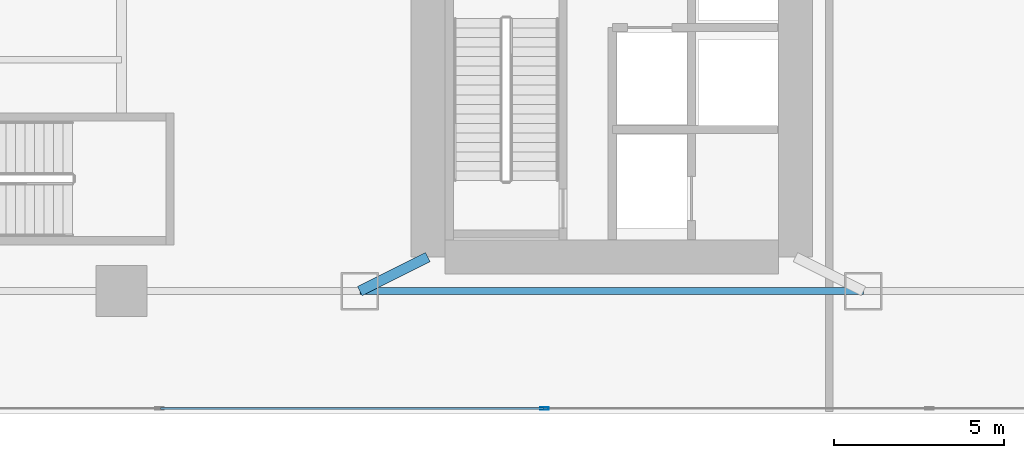
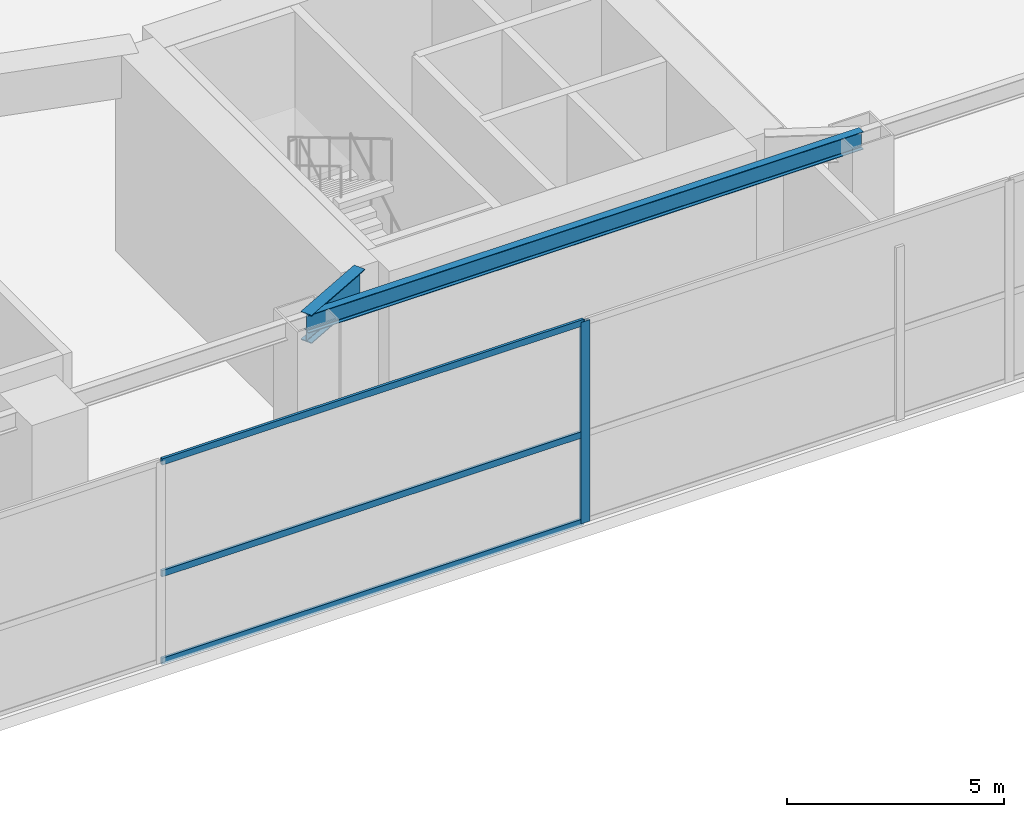
# One storey, part 7 of 35: 4 members, 2 beams, 1 element without a shape of its own.
"""IFC4 building model written with IfcOpenShell, lengths in metres."""

import ifcopenshell
import ifcopenshell.guid

model = None  # the IFC model being written
_history = None  # IfcOwnerHistory: only IFC2X3 demands one
_inside = {}  # id of a spatial element -> (the spatial element, [elements in it])
_under = {}  # id of a project, library or spatial element -> (it, [spatial elements below it])
_declared = {}  # id of a project -> (the project, [libraries it declares])
_typed = {}  # id of a type object -> (the type object, [elements of that type])
_made_of = {}  # id of a material, layer set ... -> (it, [elements and type objects made of it])


def new_model(schema):
    """Start an empty IFC model of exactly this schema.

    Asked for "IFC4X3", IfcOpenShell would pick the latest addendum, in which some entities
    have other attributes; the version numbers below select the first issue.
    IFC2X3 requires an IfcOwnerHistory on every rooted entity: one is made here for all.
    """
    global model, _history
    if schema == "IFC4X3":
        model = ifcopenshell.file(schema_version=(4, 3, 0, 0))
    else:
        model = ifcopenshell.file(schema=schema)
    _inside.clear()
    _under.clear()
    _declared.clear()
    _typed.clear()
    _made_of.clear()
    _history = None
    if model.schema == "IFC2X3":
        org = make("IfcOrganization", Name="unknown")
        user = make(
            "IfcPersonAndOrganization",
            ThePerson=make("IfcPerson", FamilyName="unknown"),
            TheOrganization=org,
        )
        app = make(
            "IfcApplication",
            ApplicationDeveloper=org,
            Version="unknown",
            ApplicationFullName="unknown",
            ApplicationIdentifier="unknown",
        )
        _history = make(
            "IfcOwnerHistory",
            OwningUser=user,
            OwningApplication=app,
            ChangeAction="ADDED",
            CreationDate=0,
        )
    return model


def make(cls, **values):
    """One entity of the class cls with the attributes given. An attribute that is None is left unset."""
    return model.create_entity(
        cls, **{name: value for name, value in values.items() if value is not None}
    )


def rooted(cls, **values):
    """An entity with a GlobalId (a new one), such as an element, a storey or a relation."""
    return make(cls, GlobalId=ifcopenshell.guid.new(), OwnerHistory=_history, **values)


def si_unit(unit_type, name, prefix=None):
    """IfcSIUnit, for example si_unit("LENGTHUNIT", "METRE", prefix="MILLI")."""
    return make("IfcSIUnit", UnitType=unit_type, Prefix=prefix, Name=name)


def assignment(units):
    """IfcUnitAssignment: the units of a project."""
    return None if units is None else make("IfcUnitAssignment", Units=units)


def point(xyz):
    """IfcCartesianPoint."""
    return None if xyz is None else make("IfcCartesianPoint", Coordinates=xyz)


def direction(xyz):
    """IfcDirection."""
    return None if xyz is None else make("IfcDirection", DirectionRatios=xyz)


def frame(location, z_axis=None, x_axis=None):
    """IfcAxis2Placement3D, a coordinate frame: its origin and axes. An axis left out is left unset."""
    return make(
        "IfcAxis2Placement3D",
        Location=point(location),
        Axis=direction(z_axis),
        RefDirection=direction(x_axis),
    )


def frame_2d(location, x_axis=None):
    """IfcAxis2Placement2D, a coordinate frame in the plane: its origin and x axis."""
    return make(
        "IfcAxis2Placement2D", Location=point(location), RefDirection=direction(x_axis)
    )


def origin():
    """The frame at (0, 0, 0) with its axes left unset."""
    return frame((0.0, 0.0, 0.0))


def origin_2d():
    """The frame at (0, 0) in the plane with its x axis left unset."""
    return frame_2d((0.0, 0.0))


def place(relative_to, where):
    """IfcLocalPlacement: puts the frame where relative to a parent placement (None: the world)."""
    return make(
        "IfcLocalPlacement", PlacementRelTo=relative_to, RelativePlacement=where
    )


def context(
    kind, dimensions, precision=None, world=None, true_north=None, identifier=None
):
    """IfcGeometricRepresentationContext, for example the 3D "Model" context."""
    return make(
        "IfcGeometricRepresentationContext",
        ContextIdentifier=identifier,
        ContextType=kind,
        CoordinateSpaceDimension=dimensions,
        Precision=precision,
        WorldCoordinateSystem=world,
        TrueNorth=true_north,
    )


def subcontext(parent, identifier, kind, view, scale=None):
    """IfcGeometricRepresentationSubContext, for example "Body" below "Model"."""
    return make(
        "IfcGeometricRepresentationSubContext",
        ContextIdentifier=identifier,
        ContextType=kind,
        ParentContext=parent,
        TargetScale=scale,
        TargetView=view,
    )


def project(units=None, contexts=None):
    """IfcProject with its units and contexts."""
    return rooted(
        "IfcProject",
        Name="project",
        RepresentationContexts=contexts,
        UnitsInContext=assignment(units),
    )


def spatial(cls, under=None, at=None, **own):
    """A site, building, storey or space (cls), placed at a placement, below another one or the project."""
    s = rooted(cls, ObjectPlacement=at, **own)
    if under is not None:
        _under.setdefault(under.id(), (under, []))[1].append(s)
    return s


def profile(cls, at=None, kind="AREA", **sizes):
    """A parametric profile (cls). Its sizes go by their IFC names, for example OverallWidth=200.0."""
    return make(cls, ProfileType=kind, Position=at, **sizes)


def hollow_rectangle(**sizes):
    """IfcRectangleHollowProfileDef."""
    return profile("IfcRectangleHollowProfileDef", **sizes)


def i_section(**sizes):
    """IfcIShapeProfileDef."""
    return profile("IfcIShapeProfileDef", **sizes)


def extrude(swept, where, along, depth):
    """IfcExtrudedAreaSolid: the profile swept, set in the frame where, extruded along a direction by depth."""
    return make(
        "IfcExtrudedAreaSolid",
        SweptArea=swept,
        Position=where,
        ExtrudedDirection=direction(along),
        Depth=depth,
    )


def shape(context_of_items, identifier, shape_type, items):
    """IfcShapeRepresentation: the items that make up one representation, for example the "Body"."""
    return make(
        "IfcShapeRepresentation",
        ContextOfItems=context_of_items,
        RepresentationIdentifier=identifier,
        RepresentationType=shape_type,
        Items=items,
    )


def material(Name=None, Category=None):
    """IfcMaterial."""
    return make("IfcMaterial", Name=Name, Category=Category)


def layer(
    of_material, thickness, ventilated=None, Name=None, Category=None, Priority=None
):
    """IfcMaterialLayer: one layer of a wall or slab, of a material (None: an air gap)."""
    return make(
        "IfcMaterialLayer",
        Material=of_material,
        LayerThickness=thickness,
        IsVentilated=ventilated,
        Name=Name,
        Category=Category,
        Priority=Priority,
    )


def layer_set(layers, Name=None):
    """IfcMaterialLayerSet."""
    return make("IfcMaterialLayerSet", MaterialLayers=layers, LayerSetName=Name)


def material_profile(
    of_material, cross_section, Name=None, Category=None, Priority=None
):
    """IfcMaterialProfile: a cross section and its material."""
    return make(
        "IfcMaterialProfile",
        Name=Name,
        Material=of_material,
        Profile=cross_section,
        Priority=Priority,
        Category=Category,
    )


def profile_set(profiles, Name=None, composite=None):
    """IfcMaterialProfileSet."""
    return make(
        "IfcMaterialProfileSet",
        Name=Name,
        MaterialProfiles=profiles,
        CompositeProfile=composite,
    )


def made_of(thing, what):
    """Note that an element or type object is made of a material, layer set ...; save() writes the relation."""
    if what is not None:
        _made_of.setdefault(what.id(), (what, []))[1].append(thing)
    return thing


def type_object(cls, material=None, **own):
    """A type object (cls), such as IfcWallType, which elements share."""
    return made_of(rooted(cls, **own), material)


def element(
    cls,
    number,
    at=None,
    inside=None,
    cuts=None,
    type_object=None,
    material=None,
    context=None,
    identifier="Body",
    shape_type=None,
    held_by="IfcProductDefinitionShape",
    body=None,
    shapes=None,
    **own,
):
    """One element of the class cls, such as IfcWall. Its Tag is "e" and its number.

    at: its placement. inside: the storey or other place that contains it. cuts: it is an
    opening in that element (IfcRelVoidsElement). A single representation is given by context,
    identifier, shape_type and body (its items); several are given by shapes. held_by: the class
    of the entity that holds the representations. save() writes the other relations.
    """
    e = rooted(cls, Tag="e%d" % number, ObjectPlacement=at, **own)
    if body is not None:
        shapes = [shape(context, identifier, shape_type, body)]
    if shapes is not None:
        e.Representation = make(held_by, Representations=shapes)
    if inside is not None:
        _inside.setdefault(inside.id(), (inside, []))[1].append(e)
    if cuts is not None:
        rooted(
            "IfcRelVoidsElement", RelatingBuildingElement=cuts, RelatedOpeningElement=e
        )
    if type_object is not None:
        _typed.setdefault(type_object.id(), (type_object, []))[1].append(e)
    return made_of(e, material)


def aggregate(whole, parts):
    """IfcRelAggregates: a whole, such as a stair, and the parts it consists of."""
    return rooted("IfcRelAggregates", RelatingObject=whole, RelatedObjects=parts)


def save(model, path):
    """Write the relations noted so far, then the file.

    IfcRelAggregates (storeys below a building ...), IfcRelContainedInSpatialStructure (elements
    in a storey), IfcRelDefinesByType, IfcRelAssociatesMaterial and IfcRelDeclares: one each for
    every whole, place, type object, material and project.
    """
    for whole, parts in _under.values():
        aggregate(whole, parts)
    for where, things in _inside.values():
        rooted(
            "IfcRelContainedInSpatialStructure",
            RelatedElements=things,
            RelatingStructure=where,
        )
    for kind, things in _typed.values():
        rooted("IfcRelDefinesByType", RelatedObjects=things, RelatingType=kind)
    for what, things in _made_of.values():
        rooted("IfcRelAssociatesMaterial", RelatedObjects=things, RelatingMaterial=what)
    for by, libraries in _declared.values():
        rooted("IfcRelDeclares", RelatingContext=by, RelatedDefinitions=libraries)
    model.write(path)


model = new_model("IFC4")

# Units and contexts
model_context = context("Model", 3, precision=1e-05, world=origin(), true_north=direction((0.0, 1.0)))
body_context = subcontext(model_context, "Body", "Model", "MODEL_VIEW")
ifc_project = project(units=[si_unit("LENGTHUNIT", "METRE"), si_unit("AREAUNIT", "SQUARE_METRE"), si_unit("VOLUMEUNIT", "CUBIC_METRE"), si_unit("PLANEANGLEUNIT", "RADIAN"), si_unit("MASSUNIT", "GRAM", prefix="KILO")], contexts=[model_context])

# Site, building, storey
site_placement = place(None, origin())
site = spatial("IfcSite", under=ifc_project, at=site_placement, CompositionType="ELEMENT")
building_placement = place(site_placement, origin())
building = spatial("IfcBuilding", under=site, at=building_placement, Name="Calvorn Quay Hotel", CompositionType="ELEMENT")
storey_placement = place(building_placement, frame((0.0, 0.0, 6.0)))
storey = spatial("IfcBuildingStorey", under=building, at=storey_placement, Name="L01", CompositionType="ELEMENT", Elevation=6.0)

# Beams
ifc_material_1 = material(Name="Steel Q390GJC", Category="steel")
ifc_material_profile_1 = material_profile(ifc_material_1, i_section(OverallWidth=0.300048828125, OverallDepth=0.800048828125, WebThickness=0.013916015625, FlangeThickness=0.02587890625, FilletRadius=0.02392578125, at=origin_2d()), Name="HN800x300x14x26")
ifc_profile_set_1 = profile_set([ifc_material_profile_1], Name="Steel Q390GJC")
beam_type_1 = type_object("IfcBeamType", Name="BM-GIRD-POD", PredefinedType="BEAM", material=ifc_profile_set_1)
beam_1_placement = place(storey_placement, frame((19.60009765625, 3.60009765625, 5.280029296875), z_axis=(0.894427191, 0.4472135955, 0.0), x_axis=(-0.4472135955, 0.894427191, 0.0)))
element("IfcBeam", 1, at=beam_1_placement, inside=storey, type_object=beam_type_1, Name="Beam BG-L01-S2", PredefinedType="BEAM", context=body_context, shape_type="SweptSolid", body=[
    extrude(i_section(OverallWidth=0.300048828125, OverallDepth=0.800048828125, WebThickness=0.013916015625, FlangeThickness=0.02587890625, FilletRadius=0.02392578125, at=origin_2d()), origin(), (0.0, 0.0, 1.0), 2.236083984375),
])
ifc_material_2 = material(Name="Steel Q355B", Category="steel")
ifc_material_profile_2 = material_profile(ifc_material_2, i_section(OverallWidth=0.199951171875, OverallDepth=0.5, WebThickness=0.010009765625, FlangeThickness=0.01611328125, FilletRadius=0.01611328125, at=origin_2d()), Name="HN500x200x10x16")
ifc_profile_set_2 = profile_set([ifc_material_profile_2], Name="Steel Q355B")
beam_type_2 = type_object("IfcBeamType", Name="BM-SPANDREL-Z1", PredefinedType="SPANDREL", material=ifc_profile_set_2)
beam_2_placement = place(storey_placement, frame((19.60009765625, 3.60009765625, 5.429931640625), z_axis=(1.0, 0.0, 0.0), x_axis=(0.0, 1.0, 0.0)))
element("IfcBeam", 2, at=beam_2_placement, inside=storey, type_object=beam_type_2, Name="Beam BSP-L01-S3", PredefinedType="SPANDREL", context=body_context, shape_type="SweptSolid", body=[
    extrude(i_section(OverallWidth=0.199951171875, OverallDepth=0.5, WebThickness=0.010009765625, FlangeThickness=0.01611328125, FilletRadius=0.01611328125, at=origin_2d()), origin(), (0.0, 0.0, 1.0), 14.7998046875),
])

# Curtain wall, members
ifc_material_3 = material(Name="Pale Anodised Aluminium and Low-E Glass", Category="aluminium")
ifc_layer = layer(ifc_material_3, 0.219970703125)
ifc_layer_set = layer_set([ifc_layer], Name="CW-SYS-POD")
curtain_wall_type = type_object("IfcCurtainWallType", Name="CW-SYS-POD", PredefinedType="NOTDEFINED", material=ifc_layer_set)
curtain_wall_placement = place(storey_placement, origin())
curtain_wall = element("IfcCurtainWall", 3, at=curtain_wall_placement, inside=storey, type_object=curtain_wall_type, Name="Podium Curtain Wall L01-S1", PredefinedType="NOTDEFINED")
ifc_material_4 = material(Name="Pale Anodised Aluminium 6063-T6", Category="aluminium")
ifc_material_profile_3 = material_profile(ifc_material_4, hollow_rectangle(XDim=0.080078125, YDim=0.239990234375, WallThickness=0.0048828125, at=origin_2d()), Name="ALU-M240x80x5")
ifc_profile_set_3 = profile_set([ifc_material_profile_3], Name="Pale Anodised Aluminium 6063-T6")
member_type_1 = type_object("IfcMemberType", Name="CW-SYS-POD-MUL", PredefinedType="MULLION", material=ifc_profile_set_3)
member_1_placement = place(storey_placement, frame((25.028564453125, 0.14990234375, 0.0), z_axis=(0.0, 0.0, 1.0), x_axis=(0.0, 1.0, 0.0)))
member_1 = element("IfcMember", 4, at=member_1_placement, type_object=member_type_1, Name="CW-L01-S1 mullion 3", PredefinedType="MULLION", context=body_context, shape_type="SweptSolid", body=[
    extrude(hollow_rectangle(XDim=0.080078125, YDim=0.239990234375, WallThickness=0.0048828125, at=origin_2d()), origin(), (0.0, 0.0, 1.0), 5.679931640625),
])
ifc_material_5 = material(Name="Pale Anodised Aluminium 6063-T6", Category="aluminium")
ifc_material_profile_4 = material_profile(ifc_material_5, hollow_rectangle(XDim=0.070068359375, YDim=0.179931640625, WallThickness=0.00390625, at=origin_2d()), Name="ALU-T180x70x4")
ifc_profile_set_4 = profile_set([ifc_material_profile_4], Name="Pale Anodised Aluminium 6063-T6")
member_type_2 = type_object("IfcMemberType", Name="CW-SYS-POD-TRN", PredefinedType="USERDEFINED", material=ifc_profile_set_4)
member_2_placement = place(storey_placement, frame((13.744384765625, 0.14990234375, 0.030029296875), z_axis=(1.0, 0.0, 0.0), x_axis=(0.0, 1.0, 0.0)))
member_2 = element("IfcMember", 5, at=member_2_placement, type_object=member_type_2, Name="CW-L01-S1 transom 2.1", ObjectType="TRANSOM", PredefinedType="USERDEFINED", context=body_context, shape_type="SweptSolid", body=[
    extrude(hollow_rectangle(XDim=0.070068359375, YDim=0.179931640625, WallThickness=0.00390625, at=origin_2d()), origin(), (0.0, 0.0, 1.0), 11.254150390625),
])
member_3_placement = place(storey_placement, frame((13.744384765625, 0.14990234375, 2.5), z_axis=(1.0, 0.0, 0.0), x_axis=(0.0, 1.0, 0.0)))
member_3 = element("IfcMember", 6, at=member_3_placement, type_object=member_type_2, Name="CW-L01-S1 transom 2.2", ObjectType="TRANSOM", PredefinedType="USERDEFINED", context=body_context, shape_type="SweptSolid", body=[
    extrude(hollow_rectangle(XDim=0.070068359375, YDim=0.179931640625, WallThickness=0.00390625, at=origin_2d()), origin(), (0.0, 0.0, 1.0), 11.254150390625),
])
member_4_placement = place(storey_placement, frame((13.744384765625, 0.14990234375, 5.64990234375), z_axis=(1.0, 0.0, 0.0), x_axis=(0.0, 1.0, 0.0)))
member_4 = element("IfcMember", 7, at=member_4_placement, type_object=member_type_2, Name="CW-L01-S1 transom 2.3", ObjectType="TRANSOM", PredefinedType="USERDEFINED", context=body_context, shape_type="SweptSolid", body=[
    extrude(hollow_rectangle(XDim=0.070068359375, YDim=0.179931640625, WallThickness=0.00390625, at=origin_2d()), origin(), (0.0, 0.0, 1.0), 11.254150390625),
])
aggregate(curtain_wall, [member_1, member_2, member_3, member_4])

save(model, "model.ifc")
